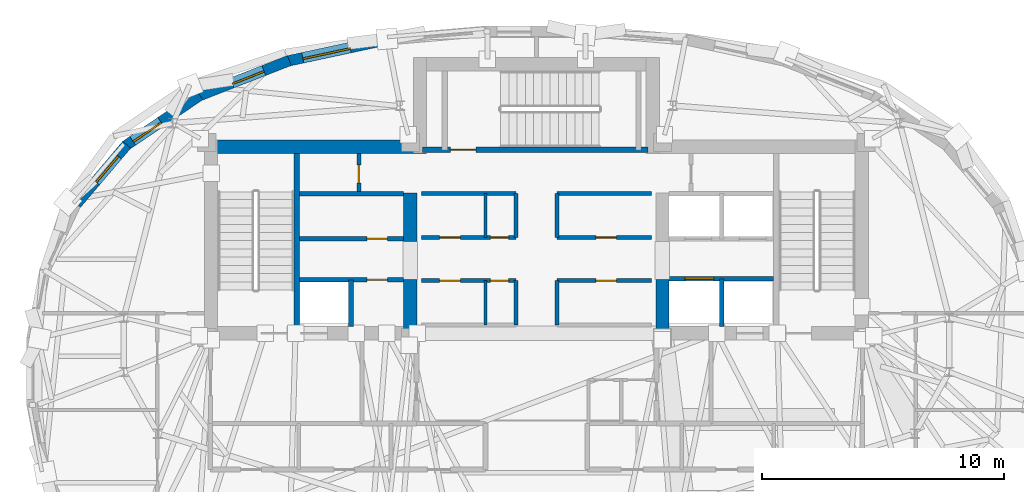
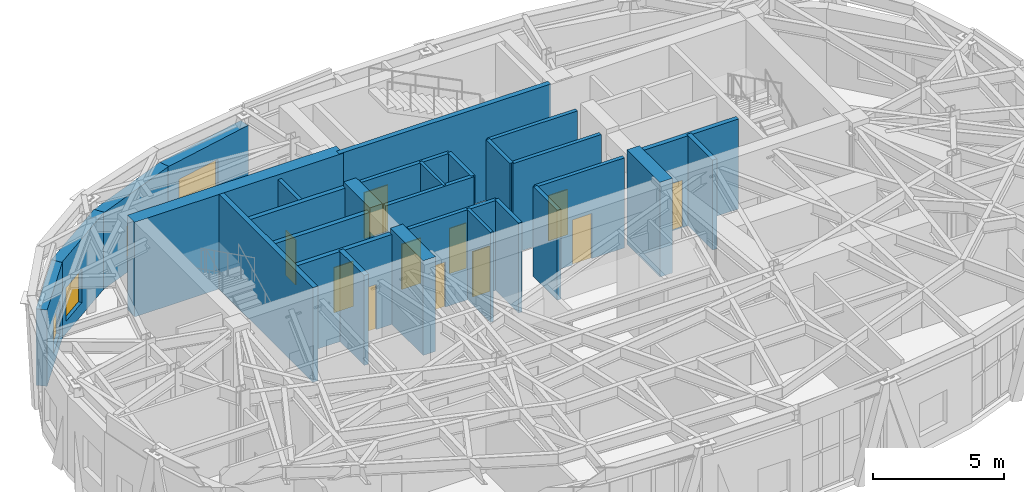
# One storey, part 10 of 15: 29 walls, 11 doors, 4 windows, 15 openings.
"""IFC4 building model written with IfcOpenShell, lengths in metres."""

import ifcopenshell
import ifcopenshell.guid

model = None  # the IFC model being written
_history = None  # IfcOwnerHistory: only IFC2X3 demands one
_inside = {}  # id of a spatial element -> (the spatial element, [elements in it])
_under = {}  # id of a project, library or spatial element -> (it, [spatial elements below it])
_declared = {}  # id of a project -> (the project, [libraries it declares])
_typed = {}  # id of a type object -> (the type object, [elements of that type])
_made_of = {}  # id of a material, layer set ... -> (it, [elements and type objects made of it])


def new_model(schema):
    """Start an empty IFC model of exactly this schema.

    Asked for "IFC4X3", IfcOpenShell would pick the latest addendum, in which some entities
    have other attributes; the version numbers below select the first issue.
    IFC2X3 requires an IfcOwnerHistory on every rooted entity: one is made here for all.
    """
    global model, _history
    if schema == "IFC4X3":
        model = ifcopenshell.file(schema_version=(4, 3, 0, 0))
    else:
        model = ifcopenshell.file(schema=schema)
    _inside.clear()
    _under.clear()
    _declared.clear()
    _typed.clear()
    _made_of.clear()
    _history = None
    if model.schema == "IFC2X3":
        org = make("IfcOrganization", Name="unknown")
        user = make(
            "IfcPersonAndOrganization",
            ThePerson=make("IfcPerson", FamilyName="unknown"),
            TheOrganization=org,
        )
        app = make(
            "IfcApplication",
            ApplicationDeveloper=org,
            Version="unknown",
            ApplicationFullName="unknown",
            ApplicationIdentifier="unknown",
        )
        _history = make(
            "IfcOwnerHistory",
            OwningUser=user,
            OwningApplication=app,
            ChangeAction="ADDED",
            CreationDate=0,
        )
    return model


def make(cls, **values):
    """One entity of the class cls with the attributes given. An attribute that is None is left unset."""
    return model.create_entity(
        cls, **{name: value for name, value in values.items() if value is not None}
    )


def rooted(cls, **values):
    """An entity with a GlobalId (a new one), such as an element, a storey or a relation."""
    return make(cls, GlobalId=ifcopenshell.guid.new(), OwnerHistory=_history, **values)


def si_unit(unit_type, name, prefix=None):
    """IfcSIUnit, for example si_unit("LENGTHUNIT", "METRE", prefix="MILLI")."""
    return make("IfcSIUnit", UnitType=unit_type, Prefix=prefix, Name=name)


def assignment(units):
    """IfcUnitAssignment: the units of a project."""
    return None if units is None else make("IfcUnitAssignment", Units=units)


def point(xyz):
    """IfcCartesianPoint."""
    return None if xyz is None else make("IfcCartesianPoint", Coordinates=xyz)


def direction(xyz):
    """IfcDirection."""
    return None if xyz is None else make("IfcDirection", DirectionRatios=xyz)


def frame(location, z_axis=None, x_axis=None):
    """IfcAxis2Placement3D, a coordinate frame: its origin and axes. An axis left out is left unset."""
    return make(
        "IfcAxis2Placement3D",
        Location=point(location),
        Axis=direction(z_axis),
        RefDirection=direction(x_axis),
    )


def frame_2d(location, x_axis=None):
    """IfcAxis2Placement2D, a coordinate frame in the plane: its origin and x axis."""
    return make(
        "IfcAxis2Placement2D", Location=point(location), RefDirection=direction(x_axis)
    )


def origin():
    """The frame at (0, 0, 0) with its axes left unset."""
    return frame((0.0, 0.0, 0.0))


def place(relative_to, where):
    """IfcLocalPlacement: puts the frame where relative to a parent placement (None: the world)."""
    return make(
        "IfcLocalPlacement", PlacementRelTo=relative_to, RelativePlacement=where
    )


def context(
    kind, dimensions, precision=None, world=None, true_north=None, identifier=None
):
    """IfcGeometricRepresentationContext, for example the 3D "Model" context."""
    return make(
        "IfcGeometricRepresentationContext",
        ContextIdentifier=identifier,
        ContextType=kind,
        CoordinateSpaceDimension=dimensions,
        Precision=precision,
        WorldCoordinateSystem=world,
        TrueNorth=true_north,
    )


def subcontext(parent, identifier, kind, view, scale=None):
    """IfcGeometricRepresentationSubContext, for example "Body" below "Model"."""
    return make(
        "IfcGeometricRepresentationSubContext",
        ContextIdentifier=identifier,
        ContextType=kind,
        ParentContext=parent,
        TargetScale=scale,
        TargetView=view,
    )


def project(units=None, contexts=None):
    """IfcProject with its units and contexts."""
    return rooted(
        "IfcProject",
        Name="project",
        RepresentationContexts=contexts,
        UnitsInContext=assignment(units),
    )


def spatial(cls, under=None, at=None, **own):
    """A site, building, storey or space (cls), placed at a placement, below another one or the project."""
    s = rooted(cls, ObjectPlacement=at, **own)
    if under is not None:
        _under.setdefault(under.id(), (under, []))[1].append(s)
    return s


def profile(cls, at=None, kind="AREA", **sizes):
    """A parametric profile (cls). Its sizes go by their IFC names, for example OverallWidth=200.0."""
    return make(cls, ProfileType=kind, Position=at, **sizes)


def rectangle(**sizes):
    """IfcRectangleProfileDef."""
    return profile("IfcRectangleProfileDef", **sizes)


def extrude(swept, where, along, depth):
    """IfcExtrudedAreaSolid: the profile swept, set in the frame where, extruded along a direction by depth."""
    return make(
        "IfcExtrudedAreaSolid",
        SweptArea=swept,
        Position=where,
        ExtrudedDirection=direction(along),
        Depth=depth,
    )


def shape(context_of_items, identifier, shape_type, items):
    """IfcShapeRepresentation: the items that make up one representation, for example the "Body"."""
    return make(
        "IfcShapeRepresentation",
        ContextOfItems=context_of_items,
        RepresentationIdentifier=identifier,
        RepresentationType=shape_type,
        Items=items,
    )


def material(Name=None, Category=None):
    """IfcMaterial."""
    return make("IfcMaterial", Name=Name, Category=Category)


def layer(
    of_material, thickness, ventilated=None, Name=None, Category=None, Priority=None
):
    """IfcMaterialLayer: one layer of a wall or slab, of a material (None: an air gap)."""
    return make(
        "IfcMaterialLayer",
        Material=of_material,
        LayerThickness=thickness,
        IsVentilated=ventilated,
        Name=Name,
        Category=Category,
        Priority=Priority,
    )


def layer_set(layers, Name=None):
    """IfcMaterialLayerSet."""
    return make("IfcMaterialLayerSet", MaterialLayers=layers, LayerSetName=Name)


def made_of(thing, what):
    """Note that an element or type object is made of a material, layer set ...; save() writes the relation."""
    if what is not None:
        _made_of.setdefault(what.id(), (what, []))[1].append(thing)
    return thing


def type_object(cls, material=None, **own):
    """A type object (cls), such as IfcWallType, which elements share."""
    return made_of(rooted(cls, **own), material)


def element(
    cls,
    number,
    at=None,
    inside=None,
    cuts=None,
    type_object=None,
    material=None,
    context=None,
    identifier="Body",
    shape_type=None,
    held_by="IfcProductDefinitionShape",
    body=None,
    shapes=None,
    **own,
):
    """One element of the class cls, such as IfcWall. Its Tag is "e" and its number.

    at: its placement. inside: the storey or other place that contains it. cuts: it is an
    opening in that element (IfcRelVoidsElement). A single representation is given by context,
    identifier, shape_type and body (its items); several are given by shapes. held_by: the class
    of the entity that holds the representations. save() writes the other relations.
    """
    e = rooted(cls, Tag="e%d" % number, ObjectPlacement=at, **own)
    if body is not None:
        shapes = [shape(context, identifier, shape_type, body)]
    if shapes is not None:
        e.Representation = make(held_by, Representations=shapes)
    if inside is not None:
        _inside.setdefault(inside.id(), (inside, []))[1].append(e)
    if cuts is not None:
        rooted(
            "IfcRelVoidsElement", RelatingBuildingElement=cuts, RelatedOpeningElement=e
        )
    if type_object is not None:
        _typed.setdefault(type_object.id(), (type_object, []))[1].append(e)
    return made_of(e, material)


def fill(opening, filler):
    """IfcRelFillsElement: the door or window that sits in an opening."""
    return rooted(
        "IfcRelFillsElement",
        RelatingOpeningElement=opening,
        RelatedBuildingElement=filler,
    )


def aggregate(whole, parts):
    """IfcRelAggregates: a whole, such as a stair, and the parts it consists of."""
    return rooted("IfcRelAggregates", RelatingObject=whole, RelatedObjects=parts)


def save(model, path):
    """Write the relations noted so far, then the file.

    IfcRelAggregates (storeys below a building ...), IfcRelContainedInSpatialStructure (elements
    in a storey), IfcRelDefinesByType, IfcRelAssociatesMaterial and IfcRelDeclares: one each for
    every whole, place, type object, material and project.
    """
    for whole, parts in _under.values():
        aggregate(whole, parts)
    for where, things in _inside.values():
        rooted(
            "IfcRelContainedInSpatialStructure",
            RelatedElements=things,
            RelatingStructure=where,
        )
    for kind, things in _typed.values():
        rooted("IfcRelDefinesByType", RelatedObjects=things, RelatingType=kind)
    for what, things in _made_of.values():
        rooted("IfcRelAssociatesMaterial", RelatedObjects=things, RelatingMaterial=what)
    for by, libraries in _declared.values():
        rooted("IfcRelDeclares", RelatingContext=by, RelatedDefinitions=libraries)
    model.write(path)


model = new_model("IFC4")

# Units and contexts
model_context = context("Model", 3, precision=1e-05, world=origin(), true_north=direction((0.0, 1.0)))
body_context = subcontext(model_context, "Body", "Model", "MODEL_VIEW")
ifc_project = project(units=[si_unit("LENGTHUNIT", "METRE"), si_unit("AREAUNIT", "SQUARE_METRE"), si_unit("VOLUMEUNIT", "CUBIC_METRE"), si_unit("PLANEANGLEUNIT", "RADIAN"), si_unit("MASSUNIT", "GRAM", prefix="KILO")], contexts=[model_context])

# Site, building, storey
site_placement = place(None, origin())
site = spatial("IfcSite", under=ifc_project, at=site_placement, CompositionType="ELEMENT")
building_placement = place(site_placement, origin())
building = spatial("IfcBuilding", under=site, at=building_placement, Name="Keldmark Tower", CompositionType="ELEMENT")
storey_placement = place(building_placement, frame((0.0, 0.0, 260.39990234375)))
storey = spatial("IfcBuildingStorey", under=building, at=storey_placement, Name="L74", CompositionType="ELEMENT", Elevation=260.39990234375)

# Walls
ifc_material_1 = material(Name="Concrete C50/60", Category="concrete")
ifc_layer_1 = layer(ifc_material_1, 0.550048828125)
ifc_layer_set_1 = layer_set([ifc_layer_1], Name="Concrete C50/60")
wall_type_1 = type_object("IfcWallType", Name="High-Rise Core Shear Wall 550 mm", PredefinedType="SHEAR", material=ifc_layer_set_1)
wall_1_placement = place(storey_placement, frame((-13.699951171875, 9.27490234375, 0.0), z_axis=(0.0, 0.0, 1.0), x_axis=(1.0, 0.0, 0.0)))
element("IfcWall", 1, at=wall_1_placement, inside=storey, type_object=wall_type_1, Name="L74 West Core North Shear Wall", PredefinedType="SHEAR", context=body_context, shape_type="SweptSolid", body=[
    extrude(rectangle(XDim=9.175048828125, YDim=0.550048828125, at=frame_2d((4.58740234375, 0.0))), origin(), (0.0, 0.0, 1.0), 4.400146484375),
])
wall_2_placement = place(storey_placement, frame((-5.199951171875, 1.300048828125, 0.0), z_axis=(0.0, 0.0, 1.0), x_axis=(0.0, 1.0, 0.0)))
element("IfcWall", 2, at=wall_2_placement, inside=storey, type_object=wall_type_1, Name="L74 West Core Inner Shear Pier South", PredefinedType="SHEAR", context=body_context, shape_type="SweptSolid", body=[
    extrude(rectangle(XDim=2.5, YDim=0.550048828125, at=frame_2d((1.25, 0.0))), origin(), (0.0, 0.0, 1.0), 4.400146484375),
])
wall_3_placement = place(storey_placement, frame((-5.199951171875, 5.35009765625, 0.0), z_axis=(0.0, 0.0, 1.0), x_axis=(0.0, 1.0, 0.0)))
element("IfcWall", 3, at=wall_3_placement, inside=storey, type_object=wall_type_1, Name="L74 West Core Inner Shear Pier North", PredefinedType="SHEAR", context=body_context, shape_type="SweptSolid", body=[
    extrude(rectangle(XDim=2.0, YDim=0.550048828125, at=frame_2d((1.0, 0.0))), origin(), (0.0, 0.0, 1.0), 4.400146484375),
])
wall_4_placement = place(storey_placement, frame((5.199951171875, 1.300048828125, 0.0), z_axis=(0.0, 0.0, 1.0), x_axis=(0.0, 1.0, 0.0)))
element("IfcWall", 4, at=wall_4_placement, inside=storey, type_object=wall_type_1, Name="L74 East Core Inner Shear Pier South", PredefinedType="SHEAR", context=body_context, shape_type="SweptSolid", body=[
    extrude(rectangle(XDim=2.5, YDim=0.550048828125, at=frame_2d((1.25, 0.0))), origin(), (0.0, 0.0, 1.0), 4.400146484375),
])
ifc_material_2 = material(Name="Acoustic Gypsum Board Interior Partition", Category="gypsum")
ifc_layer_2 = layer(ifc_material_2, 0.1298828125)
ifc_layer_set_2 = layer_set([ifc_layer_2], Name="Acoustic Gypsum Board Interior Partition")
wall_type_2 = type_object("IfcWallType", Name="Interior Partition 130 mm", PredefinedType="PARTITIONING", material=ifc_layer_set_2)
wall_5_placement = place(storey_placement, frame((-2.10009765625, 1.919921875, 0.0), z_axis=(0.0, 0.0, 1.0), x_axis=(0.0, 1.0, 0.0)))
element("IfcWall", 5, at=wall_5_placement, inside=storey, type_object=wall_type_2, Name="L74 Interior Partition 130 mm REC-LW-M", PredefinedType="PARTITIONING", context=body_context, shape_type="SweptSolid", body=[
    extrude(rectangle(XDim=1.820068359375, YDim=0.1298828125, at=frame_2d((0.91015625, 0.0))), origin(), (0.0, 0.0, 1.0), 4.18017578125),
])
wall_6_placement = place(storey_placement, frame((-2.10009765625, 5.52001953125, 0.0), z_axis=(0.0, 0.0, 1.0), x_axis=(0.0, 1.0, 0.0)))
element("IfcWall", 6, at=wall_6_placement, inside=storey, type_object=wall_type_2, Name="L74 Interior Partition 130 mm REC-MW-M", PredefinedType="PARTITIONING", context=body_context, shape_type="SweptSolid", body=[
    extrude(rectangle(XDim=1.81005859375, YDim=0.1298828125, at=frame_2d((0.905029296875, 0.0))), origin(), (0.0, 0.0, 1.0), 4.18017578125),
])

# Wall, openings, doors
ifc_material_3 = material(Name="Type X Fire-Rated Gypsum Partition Assembly", Category="gypsum")
ifc_layer_3 = layer(ifc_material_3, 0.1650390625)
ifc_layer_set_3 = layer_set([ifc_layer_3], Name="Type X Fire-Rated Gypsum Partition Assembly")
wall_type_3 = type_object("IfcWallType", Name="Rated Partition 165 mm", PredefinedType="PARTITIONING", material=ifc_layer_set_3)
wall_7_placement = place(storey_placement, frame((-4.739990234375, 3.739990234375, 0.0), z_axis=(0.0, 0.0, 1.0), x_axis=(1.0, 0.0, 0.0)))
wall_7 = element("IfcWall", 7, at=wall_7_placement, inside=storey, type_object=wall_type_3, Name="L74 Rated Partition 165 mm REC-LW-N", PredefinedType="PARTITIONING", context=body_context, shape_type="SweptSolid", body=[
    extrude(rectangle(XDim=3.889892578125, YDim=0.1650390625, at=frame_2d((1.94482421875, 0.0))), origin(), (0.0, 0.0, 1.0), 4.18017578125),
])
opening_1_placement = place(wall_7_placement, frame((0.75, 0.0, 0.0)))
opening_1 = element("IfcOpeningElement", 8, at=opening_1_placement, cuts=wall_7, Name="Opening D-SV085", PredefinedType="OPENING", context=body_context, shape_type="SweptSolid", body=[
    extrude(rectangle(XDim=0.85009765625, YDim=2.10009765625, at=frame_2d((0.425048828125, 1.050048828125))), frame((0.0, 0.092529296875, 0.0), z_axis=(0.0, -1.0, 0.0), x_axis=(1.0, 0.0, 0.0)), (0.0, 0.0, 1.0), 0.18505859375),
])
opening_2_placement = place(wall_7_placement, frame((2.840087890625, 0.0, 0.0)))
opening_2 = element("IfcOpeningElement", 9, at=opening_2_placement, cuts=wall_7, Name="Opening D-RS075", PredefinedType="OPENING", context=body_context, shape_type="SweptSolid", body=[
    extrude(rectangle(XDim=0.75, YDim=2.10009765625, at=frame_2d((0.375, 1.050048828125))), frame((0.0, 0.092529296875, 0.0), z_axis=(0.0, -1.0, 0.0), x_axis=(1.0, 0.0, 0.0)), (0.0, 0.0, 1.0), 0.18505859375),
])
ifc_material_4 = material(Name="Galvanized Fire-Rated Access Leaf", Category="metal")
door_type_1 = type_object("IfcDoorType", Name="Riser Access Door 750x2100", OperationType="NOTDEFINED", PredefinedType="DOOR", material=ifc_material_4)
door_1_placement = place(opening_2_placement, origin())
door_1 = element("IfcDoor", 10, at=door_1_placement, inside=storey, type_object=door_type_1, Name="L74 Riser Access Door 750x2100 D-RECLW2-L74", OperationType="SINGLE_SWING_RIGHT", OverallHeight=2.10009765625, OverallWidth=0.75, PredefinedType="DOOR", context=body_context, shape_type="SweptSolid", body=[
    extrude(rectangle(XDim=0.75, YDim=2.10009765625, at=frame_2d((0.375, 1.050048828125))), frame((0.0, 0.02490234375, 0.0), z_axis=(0.0, -1.0, 0.0), x_axis=(1.0, 0.0, 0.0)), (0.0, 0.0, 1.0), 0.050048828125),
])
fill(opening_2, door_1)
ifc_material_5 = material(Name="Painted Hollow Metal Door Assembly", Category="metal")
door_type_2 = type_object("IfcDoorType", Name="Service Door 850x2100", OperationType="NOTDEFINED", PredefinedType="DOOR", material=ifc_material_5)
door_2_placement = place(opening_1_placement, origin())
door_2 = element("IfcDoor", 11, at=door_2_placement, inside=storey, type_object=door_type_2, Name="L74 Service Door 850x2100 D-RECLW1-L74", OperationType="SINGLE_SWING_LEFT", OverallHeight=2.10009765625, OverallWidth=0.85009765625, PredefinedType="DOOR", context=body_context, shape_type="SweptSolid", body=[
    extrude(rectangle(XDim=0.85009765625, YDim=2.10009765625, at=frame_2d((0.425048828125, 1.050048828125))), frame((0.0, 0.02490234375, 0.0), z_axis=(0.0, -1.0, 0.0), x_axis=(1.0, 0.0, 0.0)), (0.0, 0.0, 1.0), 0.050048828125),
])
fill(opening_1, door_2)

# Wall
wall_8_placement = place(storey_placement, frame((-0.85009765625, 1.919921875, 0.0), z_axis=(0.0, 0.0, 1.0), x_axis=(0.0, 1.0, 0.0)))
element("IfcWall", 12, at=wall_8_placement, inside=storey, type_object=wall_type_3, Name="L74 Rated Partition 165 mm REC-LW-E", PredefinedType="PARTITIONING", context=body_context, shape_type="SweptSolid", body=[
    extrude(rectangle(XDim=1.820068359375, YDim=0.1650390625, at=frame_2d((0.91015625, 0.0))), origin(), (0.0, 0.0, 1.0), 4.18017578125),
])

# Wall, opening, door
wall_9_placement = place(storey_placement, frame((0.85009765625, 3.739990234375, 0.0), z_axis=(0.0, 0.0, 1.0), x_axis=(1.0, 0.0, 0.0)))
wall_9 = element("IfcWall", 13, at=wall_9_placement, inside=storey, type_object=wall_type_3, Name="L74 Rated Partition 165 mm REC-LE-N", PredefinedType="PARTITIONING", context=body_context, shape_type="SweptSolid", body=[
    extrude(rectangle(XDim=3.889892578125, YDim=0.1650390625, at=frame_2d((1.94482421875, 0.0))), origin(), (0.0, 0.0, 1.0), 4.18017578125),
])
opening_3_placement = place(wall_9_placement, frame((1.60009765625, 0.0, 0.0)))
opening_3 = element("IfcOpeningElement", 14, at=opening_3_placement, cuts=wall_9, Name="Opening D-SV085", PredefinedType="OPENING", context=body_context, shape_type="SweptSolid", body=[
    extrude(rectangle(XDim=0.85009765625, YDim=2.10009765625, at=frame_2d((0.425048828125, 1.050048828125))), frame((0.0, 0.092529296875, 0.0), z_axis=(0.0, -1.0, 0.0), x_axis=(1.0, 0.0, 0.0)), (0.0, 0.0, 1.0), 0.18505859375),
])
door_3_placement = place(opening_3_placement, origin())
door_3 = element("IfcDoor", 15, at=door_3_placement, inside=storey, type_object=door_type_2, Name="L74 Service Door 850x2100 D-RECLE1-L74", OperationType="SINGLE_SWING_LEFT", OverallHeight=2.10009765625, OverallWidth=0.85009765625, PredefinedType="DOOR", context=body_context, shape_type="SweptSolid", body=[
    extrude(rectangle(XDim=0.85009765625, YDim=2.10009765625, at=frame_2d((0.425048828125, 1.050048828125))), frame((0.0, 0.02490234375, 0.0), z_axis=(0.0, -1.0, 0.0), x_axis=(1.0, 0.0, 0.0)), (0.0, 0.0, 1.0), 0.050048828125),
])
fill(opening_3, door_3)

# Wall
wall_10_placement = place(storey_placement, frame((0.85009765625, 1.919921875, 0.0), z_axis=(0.0, 0.0, 1.0), x_axis=(0.0, 1.0, 0.0)))
element("IfcWall", 16, at=wall_10_placement, inside=storey, type_object=wall_type_3, Name="L74 Rated Partition 165 mm REC-LE-W", PredefinedType="PARTITIONING", context=body_context, shape_type="SweptSolid", body=[
    extrude(rectangle(XDim=1.820068359375, YDim=0.1650390625, at=frame_2d((0.91015625, 0.0))), origin(), (0.0, 0.0, 1.0), 4.18017578125),
])

# Wall, openings, doors
wall_11_placement = place(storey_placement, frame((-4.739990234375, 5.52001953125, 0.0), z_axis=(0.0, 0.0, 1.0), x_axis=(1.0, 0.0, 0.0)))
wall_11 = element("IfcWall", 17, at=wall_11_placement, inside=storey, type_object=wall_type_3, Name="L74 Rated Partition 165 mm REC-MW-S", PredefinedType="PARTITIONING", context=body_context, shape_type="SweptSolid", body=[
    extrude(rectangle(XDim=3.889892578125, YDim=0.1650390625, at=frame_2d((1.94482421875, 0.0))), origin(), (0.0, 0.0, 1.0), 4.18017578125),
])
opening_4_placement = place(wall_11_placement, frame((0.75, 0.0, 0.0)))
opening_4 = element("IfcOpeningElement", 18, at=opening_4_placement, cuts=wall_11, Name="Opening D-SV085", PredefinedType="OPENING", context=body_context, shape_type="SweptSolid", body=[
    extrude(rectangle(XDim=0.85009765625, YDim=2.10009765625, at=frame_2d((0.425048828125, 1.050048828125))), frame((0.0, 0.092529296875, 0.0), z_axis=(0.0, -1.0, 0.0), x_axis=(1.0, 0.0, 0.0)), (0.0, 0.0, 1.0), 0.18505859375),
])
opening_5_placement = place(wall_11_placement, frame((2.840087890625, 0.0, 0.0)))
opening_5 = element("IfcOpeningElement", 19, at=opening_5_placement, cuts=wall_11, Name="Opening D-RS075", PredefinedType="OPENING", context=body_context, shape_type="SweptSolid", body=[
    extrude(rectangle(XDim=0.75, YDim=2.10009765625, at=frame_2d((0.375, 1.050048828125))), frame((0.0, 0.092529296875, 0.0), z_axis=(0.0, -1.0, 0.0), x_axis=(1.0, 0.0, 0.0)), (0.0, 0.0, 1.0), 0.18505859375),
])
door_4_placement = place(opening_5_placement, origin())
door_4 = element("IfcDoor", 20, at=door_4_placement, inside=storey, type_object=door_type_1, Name="L74 Riser Access Door 750x2100 D-RECMW2-L74", OperationType="SINGLE_SWING_RIGHT", OverallHeight=2.10009765625, OverallWidth=0.75, PredefinedType="DOOR", context=body_context, shape_type="SweptSolid", body=[
    extrude(rectangle(XDim=0.75, YDim=2.10009765625, at=frame_2d((0.375, 1.050048828125))), frame((0.0, 0.02490234375, 0.0), z_axis=(0.0, -1.0, 0.0), x_axis=(1.0, 0.0, 0.0)), (0.0, 0.0, 1.0), 0.050048828125),
])
fill(opening_5, door_4)
door_5_placement = place(opening_4_placement, origin())
door_5 = element("IfcDoor", 21, at=door_5_placement, inside=storey, type_object=door_type_2, Name="L74 Service Door 850x2100 D-RECMW1-L74", OperationType="SINGLE_SWING_LEFT", OverallHeight=2.10009765625, OverallWidth=0.85009765625, PredefinedType="DOOR", context=body_context, shape_type="SweptSolid", body=[
    extrude(rectangle(XDim=0.85009765625, YDim=2.10009765625, at=frame_2d((0.425048828125, 1.050048828125))), frame((0.0, 0.02490234375, 0.0), z_axis=(0.0, -1.0, 0.0), x_axis=(1.0, 0.0, 0.0)), (0.0, 0.0, 1.0), 0.050048828125),
])
fill(opening_4, door_5)

# Walls
wall_12_placement = place(storey_placement, frame((-4.739990234375, 7.330078125, 0.0), z_axis=(0.0, 0.0, 1.0), x_axis=(1.0, 0.0, 0.0)))
element("IfcWall", 22, at=wall_12_placement, inside=storey, type_object=wall_type_3, Name="L74 Rated Partition 165 mm REC-MW-N", PredefinedType="PARTITIONING", context=body_context, shape_type="SweptSolid", body=[
    extrude(rectangle(XDim=3.889892578125, YDim=0.1650390625, at=frame_2d((1.94482421875, 0.0))), origin(), (0.0, 0.0, 1.0), 4.18017578125),
])
wall_13_placement = place(storey_placement, frame((-0.85009765625, 5.52001953125, 0.0), z_axis=(0.0, 0.0, 1.0), x_axis=(0.0, 1.0, 0.0)))
element("IfcWall", 23, at=wall_13_placement, inside=storey, type_object=wall_type_3, Name="L74 Rated Partition 165 mm REC-MW-E", PredefinedType="PARTITIONING", context=body_context, shape_type="SweptSolid", body=[
    extrude(rectangle(XDim=1.81005859375, YDim=0.1650390625, at=frame_2d((0.905029296875, 0.0))), origin(), (0.0, 0.0, 1.0), 4.18017578125),
])

# Wall, opening, door
wall_14_placement = place(storey_placement, frame((0.85009765625, 5.52001953125, 0.0), z_axis=(0.0, 0.0, 1.0), x_axis=(1.0, 0.0, 0.0)))
wall_14 = element("IfcWall", 24, at=wall_14_placement, inside=storey, type_object=wall_type_3, Name="L74 Rated Partition 165 mm REC-ME-S", PredefinedType="PARTITIONING", context=body_context, shape_type="SweptSolid", body=[
    extrude(rectangle(XDim=3.889892578125, YDim=0.1650390625, at=frame_2d((1.94482421875, 0.0))), origin(), (0.0, 0.0, 1.0), 4.18017578125),
])
opening_6_placement = place(wall_14_placement, frame((1.60009765625, 0.0, 0.0)))
opening_6 = element("IfcOpeningElement", 25, at=opening_6_placement, cuts=wall_14, Name="Opening D-SV085", PredefinedType="OPENING", context=body_context, shape_type="SweptSolid", body=[
    extrude(rectangle(XDim=0.85009765625, YDim=2.10009765625, at=frame_2d((0.425048828125, 1.050048828125))), frame((0.0, 0.092529296875, 0.0), z_axis=(0.0, -1.0, 0.0), x_axis=(1.0, 0.0, 0.0)), (0.0, 0.0, 1.0), 0.18505859375),
])
door_6_placement = place(opening_6_placement, origin())
door_6 = element("IfcDoor", 26, at=door_6_placement, inside=storey, type_object=door_type_2, Name="L74 Service Door 850x2100 D-RECME1-L74", OperationType="SINGLE_SWING_RIGHT", OverallHeight=2.10009765625, OverallWidth=0.85009765625, PredefinedType="DOOR", context=body_context, shape_type="SweptSolid", body=[
    extrude(rectangle(XDim=0.85009765625, YDim=2.10009765625, at=frame_2d((0.425048828125, 1.050048828125))), frame((0.0, 0.02490234375, 0.0), z_axis=(0.0, -1.0, 0.0), x_axis=(1.0, 0.0, 0.0)), (0.0, 0.0, 1.0), 0.050048828125),
])
fill(opening_6, door_6)

# Walls
wall_15_placement = place(storey_placement, frame((0.85009765625, 7.330078125, 0.0), z_axis=(0.0, 0.0, 1.0), x_axis=(1.0, 0.0, 0.0)))
element("IfcWall", 27, at=wall_15_placement, inside=storey, type_object=wall_type_3, Name="L74 Rated Partition 165 mm REC-ME-N", PredefinedType="PARTITIONING", context=body_context, shape_type="SweptSolid", body=[
    extrude(rectangle(XDim=3.889892578125, YDim=0.1650390625, at=frame_2d((1.94482421875, 0.0))), origin(), (0.0, 0.0, 1.0), 4.18017578125),
])
wall_16_placement = place(storey_placement, frame((0.85009765625, 5.52001953125, 0.0), z_axis=(0.0, 0.0, 1.0), x_axis=(0.0, 1.0, 0.0)))
element("IfcWall", 28, at=wall_16_placement, inside=storey, type_object=wall_type_3, Name="L74 Rated Partition 165 mm REC-ME-W", PredefinedType="PARTITIONING", context=body_context, shape_type="SweptSolid", body=[
    extrude(rectangle(XDim=1.81005859375, YDim=0.1650390625, at=frame_2d((0.905029296875, 0.0))), origin(), (0.0, 0.0, 1.0), 4.18017578125),
])

# Wall, opening, door
wall_17_placement = place(storey_placement, frame((-7.330078125, 7.419921875, 0.0), z_axis=(0.0, 0.0, 1.0), x_axis=(0.0, 1.0, 0.0)))
wall_17 = element("IfcWall", 29, at=wall_17_placement, inside=storey, type_object=wall_type_3, Name="L74 Rated Partition 165 mm CS-NW-E", PredefinedType="PARTITIONING", context=body_context, shape_type="SweptSolid", body=[
    extrude(rectangle(XDim=1.580078125, YDim=0.1650390625, at=frame_2d((0.7900390625, 0.0))), origin(), (0.0, 0.0, 1.0), 4.18017578125),
])
opening_7_placement = place(wall_17_placement, frame((0.35009765625, 0.0, 0.0)))
opening_7 = element("IfcOpeningElement", 30, at=opening_7_placement, cuts=wall_17, Name="Opening D-RS075", PredefinedType="OPENING", context=body_context, shape_type="SweptSolid", body=[
    extrude(rectangle(XDim=0.75, YDim=2.10009765625, at=frame_2d((0.375, 1.050048828125))), frame((0.0, 0.092529296875, 0.0), z_axis=(0.0, -1.0, 0.0), x_axis=(1.0, 0.0, 0.0)), (0.0, 0.0, 1.0), 0.18505859375),
])
door_7_placement = place(opening_7_placement, origin())
door_7 = element("IfcDoor", 31, at=door_7_placement, inside=storey, type_object=door_type_1, Name="L74 Riser Access Door 750x2100 D-CSNW1-L74", OperationType="SINGLE_SWING_RIGHT", OverallHeight=2.10009765625, OverallWidth=0.75, PredefinedType="DOOR", context=body_context, shape_type="SweptSolid", body=[
    extrude(rectangle(XDim=0.75, YDim=2.10009765625, at=frame_2d((0.375, 1.050048828125))), frame((0.0, 0.02490234375, 0.0), z_axis=(0.0, -1.0, 0.0), x_axis=(1.0, 0.0, 0.0)), (0.0, 0.0, 1.0), 0.050048828125),
])
fill(opening_7, door_7)

ifc_material_6 = material(Name="Fire-Resistant Type X Gypsum Shaftliner Coreboard", Category="gypsum")
ifc_layer_4 = layer(ifc_material_6, 0.199951171875)
ifc_layer_set_4 = layer_set([ifc_layer_4], Name="Fire-Resistant Type X Gypsum Shaftliner Coreboard")
wall_type_4 = type_object("IfcWallType", Name="Shaft Wall 200 mm", PredefinedType="SOLIDWALL", material=ifc_layer_set_4)
wall_18_placement = place(storey_placement, frame((-9.780029296875, 3.780029296875, 0.0), z_axis=(0.0, 0.0, 1.0), x_axis=(1.0, 0.0, 0.0)))
wall_18 = element("IfcWall", 32, at=wall_18_placement, inside=storey, type_object=wall_type_4, Name="L74 Shaft Wall 200 mm HW-W-S", PredefinedType="SOLIDWALL", context=body_context, shape_type="SweptSolid", body=[
    extrude(rectangle(XDim=4.304931640625, YDim=0.199951171875, at=frame_2d((2.15234375, 0.0))), origin(), (0.0, 0.0, 1.0), 4.18017578125),
])
opening_8_placement = place(wall_18_placement, frame((2.780029296875, 0.0, 0.0)))
opening_8 = element("IfcOpeningElement", 33, at=opening_8_placement, cuts=wall_18, Name="Opening D-SV085", PredefinedType="OPENING", context=body_context, shape_type="SweptSolid", body=[
    extrude(rectangle(XDim=0.85009765625, YDim=2.10009765625, at=frame_2d((0.425048828125, 1.050048828125))), frame((0.0, 0.10986328125, 0.0), z_axis=(0.0, -1.0, 0.0), x_axis=(1.0, 0.0, 0.0)), (0.0, 0.0, 1.0), 0.219970703125),
])
door_8_placement = place(opening_8_placement, origin())
door_8 = element("IfcDoor", 34, at=door_8_placement, inside=storey, type_object=door_type_2, Name="L74 Service Door 850x2100 D-HREC2-L74", OperationType="SINGLE_SWING_LEFT", OverallHeight=2.10009765625, OverallWidth=0.85009765625, PredefinedType="DOOR", context=body_context, shape_type="SweptSolid", body=[
    extrude(rectangle(XDim=0.85009765625, YDim=2.10009765625, at=frame_2d((0.425048828125, 1.050048828125))), frame((0.0, 0.02490234375, 0.0), z_axis=(0.0, -1.0, 0.0), x_axis=(1.0, 0.0, 0.0)), (0.0, 0.0, 1.0), 0.050048828125),
])
fill(opening_8, door_8)

# Wall
wall_19_placement = place(storey_placement, frame((-7.64990234375, 1.85009765625, 0.0), z_axis=(0.0, 0.0, 1.0), x_axis=(0.0, 1.0, 0.0)))
element("IfcWall", 35, at=wall_19_placement, inside=storey, type_object=wall_type_4, Name="L74 Shaft Wall 200 mm HW-W-M", PredefinedType="SOLIDWALL", context=body_context, shape_type="SweptSolid", body=[
    extrude(rectangle(XDim=1.929931640625, YDim=0.199951171875, at=frame_2d((0.96484375, 0.0))), origin(), (0.0, 0.0, 1.0), 4.18017578125),
])

# Wall, opening, door
wall_20_placement = place(storey_placement, frame((-9.780029296875, 5.469970703125, 0.0), z_axis=(0.0, 0.0, 1.0), x_axis=(1.0, 0.0, 0.0)))
wall_20 = element("IfcWall", 36, at=wall_20_placement, inside=storey, type_object=wall_type_4, Name="L74 Shaft Wall 200 mm HW-W-N", PredefinedType="SOLIDWALL", context=body_context, shape_type="SweptSolid", body=[
    extrude(rectangle(XDim=4.304931640625, YDim=0.199951171875, at=frame_2d((2.15234375, 0.0))), origin(), (0.0, 0.0, 1.0), 4.18017578125),
])
opening_9_placement = place(wall_20_placement, frame((2.780029296875, 0.0, 0.0)))
opening_9 = element("IfcOpeningElement", 37, at=opening_9_placement, cuts=wall_20, Name="Opening D-SV085", PredefinedType="OPENING", context=body_context, shape_type="SweptSolid", body=[
    extrude(rectangle(XDim=0.85009765625, YDim=2.10009765625, at=frame_2d((0.425048828125, 1.050048828125))), frame((0.0, 0.10986328125, 0.0), z_axis=(0.0, -1.0, 0.0), x_axis=(1.0, 0.0, 0.0)), (0.0, 0.0, 1.0), 0.219970703125),
])
door_9_placement = place(opening_9_placement, origin())
door_9 = element("IfcDoor", 38, at=door_9_placement, inside=storey, type_object=door_type_2, Name="L74 Service Door 850x2100 D-HREC1-L74", OperationType="SINGLE_SWING_RIGHT", OverallHeight=2.10009765625, OverallWidth=0.85009765625, PredefinedType="DOOR", context=body_context, shape_type="SweptSolid", body=[
    extrude(rectangle(XDim=0.85009765625, YDim=2.10009765625, at=frame_2d((0.425048828125, 1.050048828125))), frame((0.0, 0.02490234375, 0.0), z_axis=(0.0, -1.0, 0.0), x_axis=(1.0, 0.0, 0.0)), (0.0, 0.0, 1.0), 0.050048828125),
])
fill(opening_9, door_9)

# Wall
wall_21_placement = place(storey_placement, frame((-9.780029296875, 7.330078125, 0.0), z_axis=(0.0, 0.0, 1.0), x_axis=(1.0, 0.0, 0.0)))
element("IfcWall", 39, at=wall_21_placement, inside=storey, type_object=wall_type_4, Name="L74 Shaft Wall 200 mm HW-W-TOP", PredefinedType="SOLIDWALL", context=body_context, shape_type="SweptSolid", body=[
    extrude(rectangle(XDim=4.304931640625, YDim=0.199951171875, at=frame_2d((2.15234375, 0.0))), origin(), (0.0, 0.0, 1.0), 4.18017578125),
])

# Wall, opening, door
wall_22_placement = place(storey_placement, frame((5.47509765625, 3.820068359375, 0.0), z_axis=(0.0, 0.0, 1.0), x_axis=(1.0, 0.0, 0.0)))
wall_22 = element("IfcWall", 40, at=wall_22_placement, inside=storey, type_object=wall_type_4, Name="L74 Shaft Wall 200 mm HW-E-S", PredefinedType="SOLIDWALL", context=body_context, shape_type="SweptSolid", body=[
    extrude(rectangle(XDim=4.304931640625, YDim=0.199951171875, at=frame_2d((2.15234375, 0.0))), origin(), (0.0, 0.0, 1.0), 4.18017578125),
])
opening_10_placement = place(wall_22_placement, frame((0.64990234375, 0.0, 0.0)))
opening_10 = element("IfcOpeningElement", 41, at=opening_10_placement, cuts=wall_22, Name="Opening LD-120", PredefinedType="OPENING", context=body_context, shape_type="SweptSolid", body=[
    extrude(rectangle(XDim=1.199951171875, YDim=2.199951171875, at=frame_2d((0.60009765625, 1.10009765625))), frame((0.0, 0.10986328125, 0.0), z_axis=(0.0, -1.0, 0.0), x_axis=(1.0, 0.0, 0.0)), (0.0, 0.0, 1.0), 0.219970703125),
])
ifc_material_7 = material(Name="Heavy-Duty Brushed Metal Hoistway Sliding Leaf", Category="metal")
door_type_3 = type_object("IfcDoorType", Name="Service Lift Sliding Door 1200x2200", OperationType="SLIDING_TO_RIGHT", PredefinedType="DOOR", material=ifc_material_7)
door_10_placement = place(opening_10_placement, origin())
door_10 = element("IfcDoor", 42, at=door_10_placement, inside=storey, type_object=door_type_3, Name="L74 Service Lift Sliding Door 1200x2200 LD-EL-SV1-L74", OperationType="SLIDING_TO_RIGHT", OverallHeight=2.199951171875, OverallWidth=1.199951171875, PredefinedType="DOOR", context=body_context, shape_type="SweptSolid", body=[
    extrude(rectangle(XDim=1.199951171875, YDim=2.199951171875, at=frame_2d((0.60009765625, 1.10009765625))), frame((0.0, 0.02490234375, 0.0), z_axis=(0.0, -1.0, 0.0), x_axis=(1.0, 0.0, 0.0)), (0.0, 0.0, 1.0), 0.050048828125),
])
fill(opening_10, door_10)

# Walls
wall_23_placement = place(storey_placement, frame((7.64990234375, 1.85009765625, 0.0), z_axis=(0.0, 0.0, 1.0), x_axis=(0.0, 1.0, 0.0)))
element("IfcWall", 43, at=wall_23_placement, inside=storey, type_object=wall_type_4, Name="L74 Shaft Wall 200 mm HW-E-M", PredefinedType="SOLIDWALL", context=body_context, shape_type="SweptSolid", body=[
    extrude(rectangle(XDim=1.969970703125, YDim=0.199951171875, at=frame_2d((0.98486328125, 0.0))), origin(), (0.0, 0.0, 1.0), 4.18017578125),
])
ifc_material_8 = material(Name="Concrete C50/60", Category="concrete")
ifc_layer_5 = layer(ifc_material_8, 0.219970703125)
ifc_layer_set_5 = layer_set([ifc_layer_5], Name="Concrete C50/60")
wall_type_5 = type_object("IfcWallType", Name="Stair Core Shear Wall 220 mm", PredefinedType="SHEAR", material=ifc_layer_set_5)
wall_24_placement = place(storey_placement, frame((-9.889892578125, 1.85009765625, 0.0), z_axis=(0.0, 0.0, 1.0), x_axis=(0.0, 1.0, 0.0)))
element("IfcWall", 44, at=wall_24_placement, inside=storey, type_object=wall_type_5, Name="L74 West Stair Core Shear Wall", PredefinedType="SHEAR", context=body_context, shape_type="SweptSolid", body=[
    extrude(rectangle(XDim=7.14990234375, YDim=0.219970703125, at=frame_2d((3.574951171875, 0.0))), origin(), (0.0, 0.0, 1.0), 4.400146484375),
])

# Wall, opening, door
wall_25_placement = place(storey_placement, frame((-4.699951171875, 9.139892578125, 0.0), z_axis=(0.0, 0.0, 1.0), x_axis=(1.0, 0.0, 0.0)))
wall_25 = element("IfcWall", 45, at=wall_25_placement, inside=storey, type_object=wall_type_5, Name="L74 Central Stair Core South Shear Wall", PredefinedType="SHEAR", context=body_context, shape_type="SweptSolid", body=[
    extrude(rectangle(XDim=9.300048828125, YDim=0.219970703125, at=frame_2d((4.64990234375, 0.0))), origin(), (0.0, 0.0, 1.0), 4.400146484375),
])
opening_11_placement = place(wall_25_placement, frame((1.14990234375, 0.0, 0.0)))
opening_11 = element("IfcOpeningElement", 46, at=opening_11_placement, cuts=wall_25, Name="Opening D-ST105", PredefinedType="OPENING", context=body_context, shape_type="SweptSolid", body=[
    extrude(rectangle(XDim=1.050048828125, YDim=2.14990234375, at=frame_2d((0.52490234375, 1.074951171875))), frame((0.0, 0.119873046875, 0.0), z_axis=(0.0, -1.0, 0.0), x_axis=(1.0, 0.0, 0.0)), (0.0, 0.0, 1.0), 0.239990234375),
])
ifc_material_9 = material(Name="Hollow Metal Fire-Rated Door Assembly", Category="metal")
door_type_4 = type_object("IfcDoorType", Name="Stair Fire Door 1050x2150", OperationType="NOTDEFINED", PredefinedType="DOOR", material=ifc_material_9)
door_11_placement = place(opening_11_placement, origin())
door_11 = element("IfcDoor", 47, at=door_11_placement, inside=storey, type_object=door_type_4, Name="L74 Stair Fire Door 1050x2150 D-ST3-L74", OperationType="SINGLE_SWING_LEFT", OverallHeight=2.14990234375, OverallWidth=1.050048828125, PredefinedType="DOOR", context=body_context, shape_type="SweptSolid", body=[
    extrude(rectangle(XDim=1.050048828125, YDim=2.14990234375, at=frame_2d((0.52490234375, 1.074951171875))), frame((0.0, 0.02490234375, 0.0), z_axis=(0.0, -1.0, 0.0), x_axis=(1.0, 0.0, 0.0)), (0.0, 0.0, 1.0), 0.050048828125),
])
fill(opening_11, door_11)

# Wall, opening, window
ifc_material_10 = material(Name="Ironspot Manganese Brick and Kasota Buff Limestone Spandrel Assembly", Category="masonry")
ifc_layer_6 = layer(ifc_material_10, 0.43994140625)
ifc_layer_set_6 = layer_set([ifc_layer_6], Name="Ironspot Manganese Brick and Kasota Buff Limestone Spandrel Assembly")
wall_type_6 = type_object("IfcWallType", Name="Tower Brick Pier and Spandrel Wall 440 mm", PredefinedType="STANDARD", material=ifc_layer_set_6)
wall_26_placement = place(storey_placement, frame((-10.22802734375, 12.815673828125, 0.0), z_axis=(0.0, 0.0, 1.0), x_axis=(0.977824810368, 0.209424545429, 0.0)))
wall_26 = element("IfcWall", 48, at=wall_26_placement, inside=storey, type_object=wall_type_6, Name="L74 Exterior Brick and Spandrel Wall 10", PredefinedType="STANDARD", context=body_context, shape_type="SweptSolid", body=[
    extrude(rectangle(XDim=4.146728515625, YDim=0.43994140625, at=frame_2d((2.0732421875, 0.0))), origin(), (0.0, 0.0, 1.0), 3.546142578125),
])
opening_12_placement = place(wall_26_placement, frame((0.59912109375, 0.0, 0.60009765625)))
opening_12 = element("IfcOpeningElement", 49, at=opening_12_placement, cuts=wall_26, Name="Opening W-06", PredefinedType="OPENING", context=body_context, shape_type="SweptSolid", body=[
    extrude(rectangle(XDim=2.0, YDim=2.10009765625, at=frame_2d((1.0, 1.050048828125))), frame((0.0, 0.22998046875, 0.0), z_axis=(0.0, -1.0, 0.0), x_axis=(1.0, 0.0, 0.0)), (0.0, 0.0, 1.0), 0.4599609375),
])
ifc_material_11 = material(Name="Thermally Broken Anodized Aluminum and Triple Low-E Argon Glazing", Category="aluminium")
window_type_1 = type_object("IfcWindowType", Name="Sky Lounge Tall Punched Window 2000x2100", PartitioningType="SINGLE_PANEL", PredefinedType="WINDOW", material=ifc_material_11)
window_1_placement = place(opening_12_placement, origin())
window_1 = element("IfcWindow", 50, at=window_1_placement, inside=storey, type_object=window_type_1, Name="L74 Deep-Set Window 10", OverallHeight=2.10009765625, OverallWidth=2.0, PartitioningType="SINGLE_PANEL", PredefinedType="WINDOW", context=body_context, shape_type="SweptSolid", body=[
    extrude(rectangle(XDim=2.0, YDim=2.10009765625, at=frame_2d((1.0, 1.050048828125))), frame((0.0, -0.010009765625, 0.0), z_axis=(0.0, -1.0, 0.0), x_axis=(1.0, 0.0, 0.0)), (0.0, 0.0, 1.0), 0.06005859375),
])
fill(opening_12, window_1)

wall_27_placement = place(storey_placement, frame((-13.930419921875, 11.368408203125, 0.0), z_axis=(0.0, 0.0, 1.0), x_axis=(0.931645487624, 0.36336852559, 0.0)))
wall_27 = element("IfcWall", 51, at=wall_27_placement, inside=storey, type_object=wall_type_6, Name="L74 Exterior Brick and Spandrel Wall 11", PredefinedType="STANDARD", context=body_context, shape_type="SweptSolid", body=[
    extrude(rectangle(XDim=4.010498046875, YDim=0.43994140625, at=frame_2d((2.00537109375, 0.0))), origin(), (0.0, 0.0, 1.0), 3.546142578125),
])
opening_13_placement = place(wall_27_placement, frame((1.477294921875, 0.0, 0.60009765625)))
opening_13 = element("IfcOpeningElement", 52, at=opening_13_placement, cuts=wall_27, Name="Opening W-08", PredefinedType="OPENING", context=body_context, shape_type="SweptSolid", body=[
    extrude(rectangle(XDim=1.39990234375, YDim=1.550048828125, at=frame_2d((0.699951171875, 0.77490234375))), frame((0.0, 0.22998046875, 0.0), z_axis=(0.0, -1.0, 0.0), x_axis=(1.0, 0.0, 0.0)), (0.0, 0.0, 1.0), 0.4599609375),
])
ifc_material_12 = material(Name="Thermally Broken Anodized Aluminum and Triple Low-E Argon Glazing", Category="aluminium")
window_type_2 = type_object("IfcWindowType", Name="Residential Corner Punched Window 1400x1550", PartitioningType="SINGLE_PANEL", PredefinedType="WINDOW", material=ifc_material_12)
window_2_placement = place(opening_13_placement, origin())
window_2 = element("IfcWindow", 53, at=window_2_placement, inside=storey, type_object=window_type_2, Name="L74 Deep-Set Window 11", OverallHeight=1.550048828125, OverallWidth=1.39990234375, PartitioningType="SINGLE_PANEL", PredefinedType="WINDOW", context=body_context, shape_type="SweptSolid", body=[
    extrude(rectangle(XDim=1.39990234375, YDim=1.550048828125, at=frame_2d((0.699951171875, 0.77490234375))), frame((0.0, -0.010009765625, 0.0), z_axis=(0.0, -1.0, 0.0), x_axis=(1.0, 0.0, 0.0)), (0.0, 0.0, 1.0), 0.06005859375),
])
fill(opening_13, window_2)

wall_28_placement = place(storey_placement, frame((-16.9482421875, 9.31591796875, 0.0), z_axis=(0.0, 0.0, 1.0), x_axis=(0.827739678134, 0.561112310721, 0.0)))
wall_28 = element("IfcWall", 54, at=wall_28_placement, inside=storey, type_object=wall_type_6, Name="L74 Exterior Brick and Spandrel Wall 12", PredefinedType="STANDARD", context=body_context, shape_type="SweptSolid", body=[
    extrude(rectangle(XDim=3.6982421875, YDim=0.43994140625, at=frame_2d((1.84912109375, 0.0))), origin(), (0.0, 0.0, 1.0), 3.550048828125),
])
opening_14_placement = place(wall_28_placement, frame((0.349853515625, 0.0, 0.580078125)))
opening_14 = element("IfcOpeningElement", 55, at=opening_14_placement, cuts=wall_28, Name="Opening W-08", PredefinedType="OPENING", context=body_context, shape_type="SweptSolid", body=[
    extrude(rectangle(XDim=1.39990234375, YDim=1.550048828125, at=frame_2d((0.699951171875, 0.77490234375))), frame((0.0, 0.22998046875, 0.0), z_axis=(0.0, -1.0, 0.0), x_axis=(1.0, 0.0, 0.0)), (0.0, 0.0, 1.0), 0.4599609375),
])
window_3_placement = place(opening_14_placement, origin())
window_3 = element("IfcWindow", 56, at=window_3_placement, inside=storey, type_object=window_type_2, Name="L74 Deep-Set Window 12", OverallHeight=1.550048828125, OverallWidth=1.39990234375, PartitioningType="SINGLE_PANEL", PredefinedType="WINDOW", context=body_context, shape_type="SweptSolid", body=[
    extrude(rectangle(XDim=1.39990234375, YDim=1.550048828125, at=frame_2d((0.699951171875, 0.77490234375))), frame((0.0, -0.010009765625, 0.0), z_axis=(0.0, -1.0, 0.0), x_axis=(1.0, 0.0, 0.0)), (0.0, 0.0, 1.0), 0.06005859375),
])
fill(opening_14, window_3)

wall_29_placement = place(storey_placement, frame((-19.0537109375, 6.82275390625, 0.0), z_axis=(0.0, 0.0, 1.0), x_axis=(0.647061604266, 0.762437722233, 0.0)))
wall_29 = element("IfcWall", 57, at=wall_29_placement, inside=storey, type_object=wall_type_6, Name="L74 Exterior Brick and Spandrel Wall 13", PredefinedType="STANDARD", context=body_context, shape_type="SweptSolid", body=[
    extrude(rectangle(XDim=3.322265625, YDim=0.43994140625, at=frame_2d((1.6611328125, 0.0))), origin(), (0.0, 0.0, 1.0), 3.546142578125),
])
opening_15_placement = place(wall_29_placement, frame((1.329345703125, 0.0, 0.580078125)))
opening_15 = element("IfcOpeningElement", 58, at=opening_15_placement, cuts=wall_29, Name="Opening W-08", PredefinedType="OPENING", context=body_context, shape_type="SweptSolid", body=[
    extrude(rectangle(XDim=1.39990234375, YDim=1.550048828125, at=frame_2d((0.699951171875, 0.77490234375))), frame((0.0, 0.22998046875, 0.0), z_axis=(0.0, -1.0, 0.0), x_axis=(1.0, 0.0, 0.0)), (0.0, 0.0, 1.0), 0.4599609375),
])
window_4_placement = place(opening_15_placement, origin())
window_4 = element("IfcWindow", 59, at=window_4_placement, inside=storey, type_object=window_type_2, Name="L74 Deep-Set Window 13", OverallHeight=1.550048828125, OverallWidth=1.39990234375, PartitioningType="SINGLE_PANEL", PredefinedType="WINDOW", context=body_context, shape_type="SweptSolid", body=[
    extrude(rectangle(XDim=1.39990234375, YDim=1.550048828125, at=frame_2d((0.699951171875, 0.77490234375))), frame((0.0, -0.010009765625, 0.0), z_axis=(0.0, -1.0, 0.0), x_axis=(1.0, 0.0, 0.0)), (0.0, 0.0, 1.0), 0.06005859375),
])
fill(opening_15, window_4)

save(model, "model.ifc")
